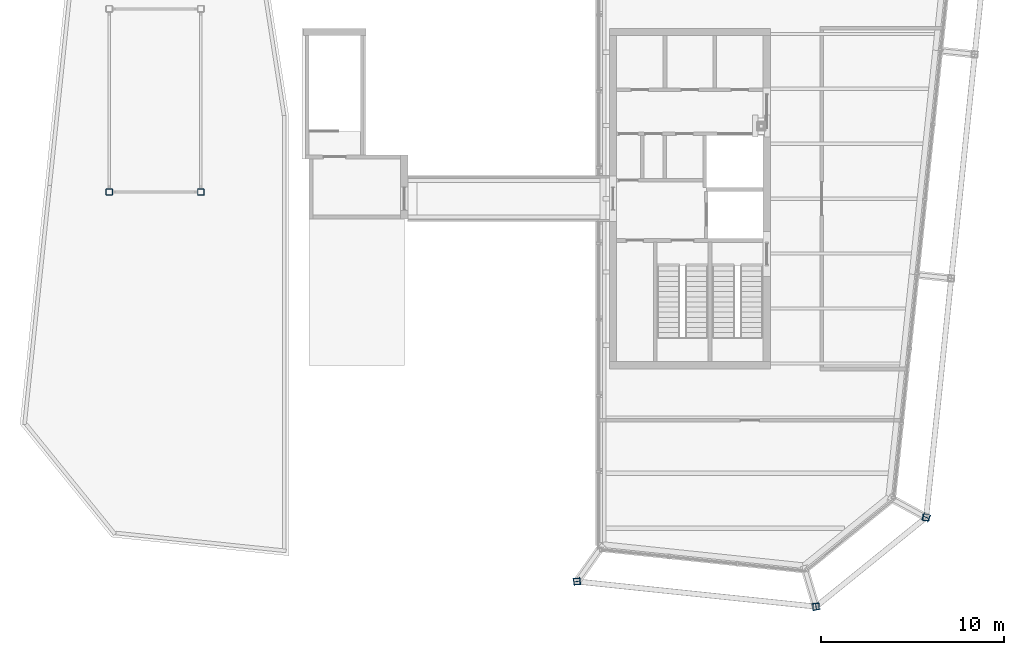
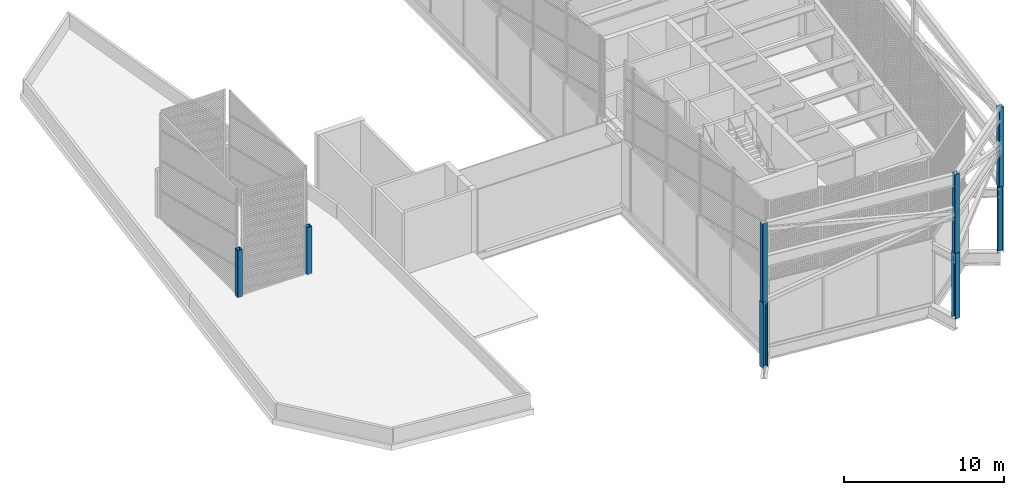
# One storey, part 1 of 11: 8 columns.
"""IFC4 building model written with IfcOpenShell, lengths in metres."""

from ifc_helpers import new_model, si_unit, direction, frame, origin, origin_2d, place, context, subcontext, project, spatial, hollow_rectangle, i_section, extrude, material, material_profile, profile_set, type_object, element, save


model = new_model("IFC4")

# Units and contexts
model_context = context("Model", 3, precision=1e-05, world=origin(), true_north=direction((0.0, 1.0)))
body_context = subcontext(model_context, "Body", "Model", "MODEL_VIEW")
ifc_project = project(units=[si_unit("LENGTHUNIT", "METRE"), si_unit("AREAUNIT", "SQUARE_METRE"), si_unit("VOLUMEUNIT", "CUBIC_METRE"), si_unit("PLANEANGLEUNIT", "RADIAN"), si_unit("MASSUNIT", "GRAM", prefix="KILO")], contexts=[model_context])

# Site, building, storey
site_placement = place(None, origin())
site = spatial("IfcSite", under=ifc_project, at=site_placement, CompositionType="ELEMENT")
building_placement = place(site_placement, origin())
building = spatial("IfcBuilding", under=site, at=building_placement, Name="Millrace Tower", CompositionType="ELEMENT")
storey_placement = place(building_placement, frame((0.0, 0.0, 357.10009765625)))
storey = spatial("IfcBuildingStorey", under=building, at=storey_placement, Name="L82", CompositionType="ELEMENT", Elevation=357.10009765625)

# Columns
ifc_material_1 = material(Name="Steel ASTM A500 Grade C", Category="steel")
ifc_material_profile_1 = material_profile(ifc_material_1, hollow_rectangle(XDim=0.355712890625, YDim=0.355712890625, WallThickness=0.015869140625, InnerFilletRadius=0.008056640625, OuterFilletRadius=0.02392578125, at=origin_2d()))
ifc_profile_set_1 = profile_set([ifc_material_profile_1], Name="Steel ASTM A500 Grade C")
column_type_1 = type_object("IfcColumnType", Name="CROWN FRAME post HSS14x14x5/8", PredefinedType="COLUMN", material=ifc_profile_set_1)
for number, where, z_axis, x_axis, name in (
    (1, (-21.814208984375, 0.363037109375, 1.419921875), (0.0, 0.0, 1.0), (1.0, 0.0, 0.0), "CROWN FRAME lantern post 1"),
    (2, (-16.814208984375, 0.363037109375, 1.419921875), (0.0, 0.0, 1.0), (1.0, 0.0, 0.0), "CROWN FRAME lantern post 2"),
):
    element("IfcColumn", number, at=place(storey_placement, frame(where, z_axis=z_axis, x_axis=x_axis)), inside=storey, type_object=column_type_1, Name=name, PredefinedType="COLUMN", context=body_context, shape_type="SweptSolid", body=[
        extrude(hollow_rectangle(XDim=0.355712890625, YDim=0.355712890625, WallThickness=0.015869140625, InnerFilletRadius=0.008056640625, OuterFilletRadius=0.02392578125, at=origin_2d()), origin(), (0.0, 0.0, 1.0), 3.580078125),
    ])
for number, where, z_axis, x_axis, name in (
    (3, (3.729248046875, -20.9072265625, 5.0), (0.0, 0.0, 1.0), (1.0, 0.0, 0.0), "CROWN FRAME post E.1"),
    (4, (16.78564453125, -22.279541015625, 5.0), (0.0, 0.0, 1.0), (1.0, 0.0, 0.0), "CROWN FRAME post E.2"),
    (5, (22.79931640625, -17.409912109375, 5.0), (0.0, 0.0, 1.0), (1.0, 0.0, 0.0), "CROWN FRAME post E.3"),
):
    element("IfcColumn", number, at=place(storey_placement, frame(where, z_axis=z_axis, x_axis=x_axis)), inside=storey, type_object=column_type_1, Name=name, PredefinedType="COLUMN", context=body_context, shape_type="SweptSolid", body=[
        extrude(hollow_rectangle(XDim=0.355712890625, YDim=0.355712890625, WallThickness=0.015869140625, InnerFilletRadius=0.008056640625, OuterFilletRadius=0.02392578125, at=origin_2d()), origin(), (0.0, 0.0, 1.0), 6.0),
    ])
ifc_material_2 = material(Name="Steel ASTM A913 Grade 65", Category="steel")
ifc_material_profile_2 = material_profile(ifc_material_2, i_section(OverallWidth=0.393798828125, OverallDepth=0.3759765625, WebThickness=0.017333984375, FlangeThickness=0.027587890625, FilletRadius=0.01513671875, at=origin_2d()))
ifc_profile_set_2 = profile_set([ifc_material_profile_2], Name="Steel ASTM A913 Grade 65")
column_type_2 = type_object("IfcColumnType", Name="Exoskeleton column W14x145", PredefinedType="COLUMN", material=ifc_profile_set_2)
column_placement = place(storey_placement, frame((3.729248046875, -20.9072265625, 0.0), z_axis=(0.0, 0.0, 1.0), x_axis=(0.153917895091, -0.988083640979, 0.0)))
element("IfcColumn", 6, at=column_placement, inside=storey, type_object=column_type_2, Name="COL-E-L82-X04", PredefinedType="COLUMN", context=body_context, shape_type="SweptSolid", body=[
    extrude(i_section(OverallWidth=0.393798828125, OverallDepth=0.3759765625, WebThickness=0.017333984375, FlangeThickness=0.027587890625, FilletRadius=0.01513671875, at=origin_2d()), origin(), (0.0, 0.0, 1.0), 5.0),
])
ifc_material_3 = material(Name="Steel ASTM A913 Grade 65", Category="steel")
ifc_material_profile_3 = material_profile(ifc_material_3, i_section(OverallWidth=0.396240234375, OverallDepth=0.381103515625, WebThickness=0.018798828125, FlangeThickness=0.0302734375, FilletRadius=0.01513671875, at=origin_2d()))
ifc_profile_set_3 = profile_set([ifc_material_profile_3], Name="Steel ASTM A913 Grade 65")
column_type_3 = type_object("IfcColumnType", Name="Exoskeleton column W14x159", PredefinedType="COLUMN", material=ifc_profile_set_3)
for number, where, z_axis, x_axis, name in (
    (7, (16.78564453125, -22.279541015625, 0.0), (0.0, 0.0, 1.0), (0.983595628164, 0.18038747256, 0.0), "COL-E-L82-X05"),
    (8, (22.79931640625, -17.409912109375, 0.0), (0.0, 0.0, 1.0), (0.380946683176, 0.92459700658, 0.0), "COL-E-L82-X06"),
):
    element("IfcColumn", number, at=place(storey_placement, frame(where, z_axis=z_axis, x_axis=x_axis)), inside=storey, type_object=column_type_3, Name=name, PredefinedType="COLUMN", context=body_context, shape_type="SweptSolid", body=[
        extrude(i_section(OverallWidth=0.396240234375, OverallDepth=0.381103515625, WebThickness=0.018798828125, FlangeThickness=0.0302734375, FilletRadius=0.01513671875, at=origin_2d()), origin(), (0.0, 0.0, 1.0), 5.0),
    ])

save(model, "model.ifc")
